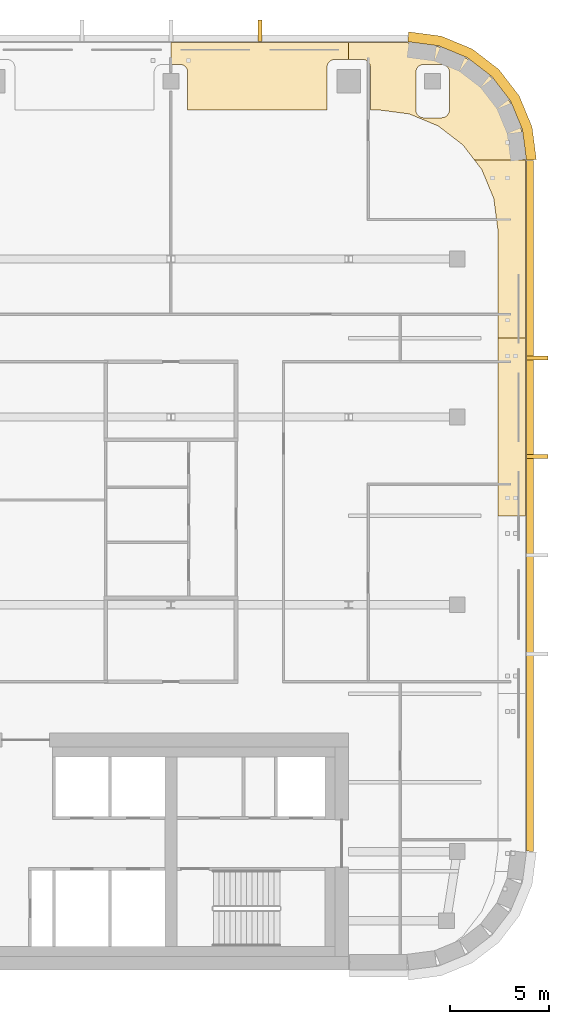
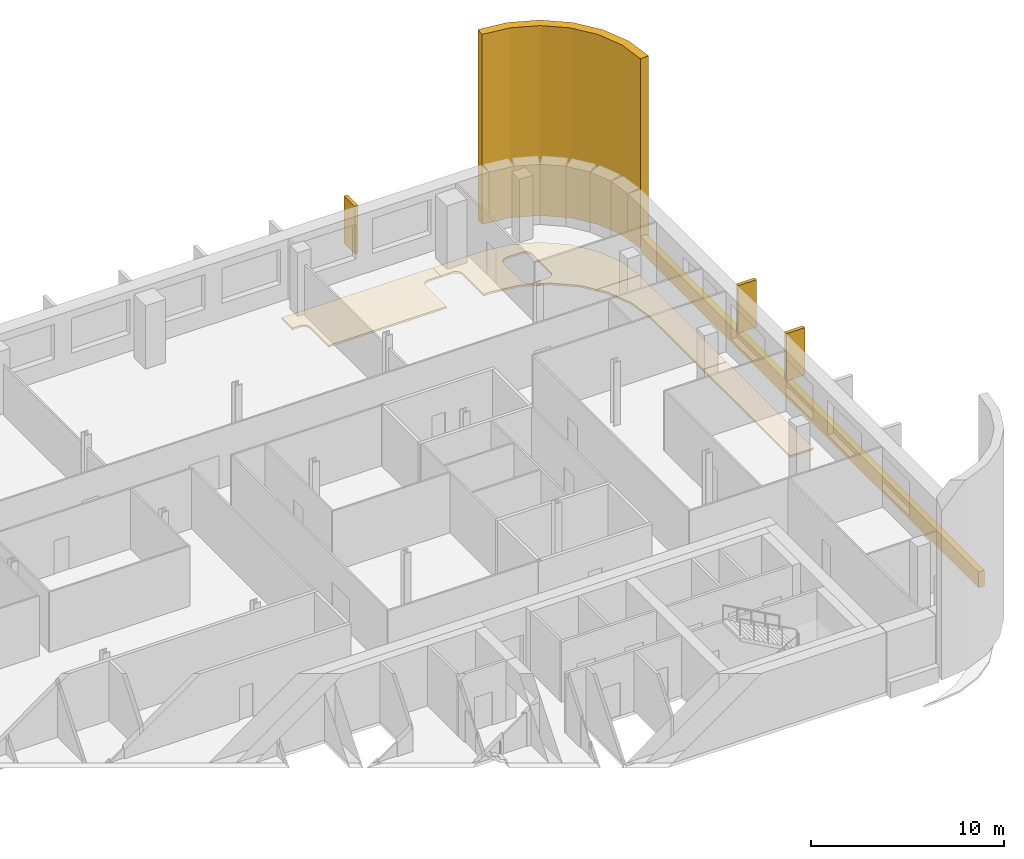
# One storey, part 19 of 19: 9 coverings.
"""IFC4 building model written with IfcOpenShell, lengths in metres."""

from ifc_helpers import new_model, si_unit, direction, frame, origin, place, context, subcontext, project, spatial, polyline, outline, extrude, material, layer, layer_set, type_object, element, save


model = new_model("IFC4")

# Units and contexts
model_context = context("Model", 3, precision=1e-05, world=origin(), true_north=direction((0.0, 1.0)))
body_context = subcontext(model_context, "Body", "Model", "MODEL_VIEW")
ifc_project = project(units=[si_unit("LENGTHUNIT", "METRE"), si_unit("AREAUNIT", "SQUARE_METRE"), si_unit("VOLUMEUNIT", "CUBIC_METRE"), si_unit("PLANEANGLEUNIT", "RADIAN"), si_unit("MASSUNIT", "GRAM", prefix="KILO")], contexts=[model_context])

# Site, building, storey
site_placement = place(None, origin())
site = spatial("IfcSite", under=ifc_project, at=site_placement, CompositionType="ELEMENT")
building_placement = place(site_placement, origin())
building = spatial("IfcBuilding", under=site, at=building_placement, Name="Zellij Exchange Tower", CompositionType="ELEMENT")
storey_placement = place(building_placement, frame((0.0, 0.0, 220.5)))
storey = spatial("IfcBuildingStorey", under=building, at=storey_placement, Name="L51", CompositionType="ELEMENT", Elevation=220.5)

# Coverings
ifc_material_1 = material(Name="Limestone cladding", Category="masonry")
ifc_layer_1 = layer(ifc_material_1, 0.35009765625)
ifc_layer_set_1 = layer_set([ifc_layer_1], Name="Limestone cladding")
covering_type_1 = type_object("IfcCoveringType", Name="ENV-CV10 Stone spandrel band 350", PredefinedType="CLADDING", material=ifc_layer_set_1)
covering_1_placement = place(storey_placement, frame((0.0, 0.0, -0.199951171875)))
element("IfcCovering", 1, at=covering_1_placement, inside=storey, type_object=covering_type_1, Name="Stone spandrel band", PredefinedType="CLADDING", context=body_context, shape_type="SweptSolid", body=[
    extrude(outline(polyline([(36.0, -7.973876953125), (36.0, 26.973876953125), (36.35009765625, 26.99658203125), (36.35009765625, -7.99658203125), (36.0, -7.973876953125)])), origin(), (0.0, 0.0, 1.0), 1.0),
])
ifc_layer_2 = layer(ifc_material_1, 0.5)
ifc_layer_set_2 = layer_set([ifc_layer_2], Name="Limestone cladding")
covering_type_2 = type_object("IfcCoveringType", Name="ENV-CV12 Stone corner pier 500", PredefinedType="CLADDING", material=ifc_layer_set_2)
covering_2_placement = place(storey_placement, origin())
element("IfcCovering", 2, at=covering_2_placement, inside=storey, type_object=covering_type_2, Name="Stone corner pier", PredefinedType="CLADDING", context=body_context, shape_type="SweptSolid", body=[
    extrude(outline(polyline([(36.0, 27.0), (35.795654296875, 28.552978515625), (35.1962890625, 30.0), (34.24267578125, 31.24267578125), (33.0, 32.1962890625), (31.552978515625, 32.795654296875), (30.0, 33.0), (30.03271484375, 33.5), (31.683349609375, 33.28271484375), (33.252197265625, 32.6328125), (34.59912109375, 31.59912109375), (35.6328125, 30.252197265625), (36.28271484375, 28.683349609375), (36.5, 27.03271484375), (36.0, 27.0)])), origin(), (0.0, 0.0, 1.0), 12.0),
])
covering_type_3 = type_object("IfcCoveringType", Name="ENV-CV6 Stone pier 200x1100", PredefinedType="CLADDING", material=ifc_material_1)
covering_3_placement = place(storey_placement, frame((0.0, 0.0, 0.800048828125)))
element("IfcCovering", 3, at=covering_3_placement, inside=storey, type_object=covering_type_3, Name="Stone pier", PredefinedType="CLADDING", context=body_context, shape_type="SweptSolid", body=[
    extrude(outline(polyline([(36.0, 11.896240234375), (36.0, 12.09619140625), (37.10009765625, 12.09619140625), (37.10009765625, 11.896240234375), (36.0, 11.896240234375)])), origin(), (0.0, 0.0, 1.0), 3.0),
])
covering_4_placement = place(storey_placement, frame((0.0, 0.0, 0.800048828125)))
element("IfcCovering", 4, at=covering_4_placement, inside=storey, type_object=covering_type_3, Name="Stone pier", PredefinedType="CLADDING", context=body_context, shape_type="SweptSolid", body=[
    extrude(outline(polyline([(36.0, 16.888916015625), (36.0, 17.0888671875), (37.10009765625, 17.0888671875), (37.10009765625, 16.888916015625), (36.0, 16.888916015625)])), origin(), (0.0, 0.0, 1.0), 3.0),
])
covering_5_placement = place(storey_placement, frame((0.0, 0.0, 0.800048828125)))
element("IfcCovering", 5, at=covering_5_placement, inside=storey, type_object=covering_type_3, Name="Stone pier", PredefinedType="CLADDING", context=body_context, shape_type="SweptSolid", body=[
    extrude(outline(polyline([(22.60009765625, 33.0), (22.39990234375, 33.0), (22.39990234375, 34.10009765625), (22.60009765625, 34.10009765625), (22.60009765625, 33.0)])), origin(), (0.0, 0.0, 1.0), 3.0),
])
ifc_material_2 = material(Name="Limestone screen", Category="masonry")
ifc_layer_3 = layer(ifc_material_2, 0.1201171875)
ifc_layer_set_3 = layer_set([ifc_layer_3], Name="Limestone screen")
covering_type_4 = type_object("IfcCoveringType", Name="ENV-SC1 Pierced stone screen 120", PredefinedType="USERDEFINED", material=ifc_layer_set_3)
covering_6_placement = place(storey_placement, frame((0.0, 0.0, -1.77001953125)))
element("IfcCovering", 6, at=covering_6_placement, inside=storey, type_object=covering_type_4, Name="Pierced stone screen", ObjectType="SCREEN", PredefinedType="USERDEFINED", context=body_context, shape_type="SweptSolid", body=[
    extrude(outline(polyline([(27.0, 32.949951171875), (27.0, 32.10009765625), (26.300048828125, 32.10009765625), (26.2607421875, 32.09814453125), (26.221923828125, 32.09228515625), (26.183837890625, 32.082763671875), (26.14697265625, 32.069580078125), (26.111328125, 32.052734375), (26.077880859375, 32.03271484375), (26.046142578125, 32.00927734375), (26.01708984375, 31.98291015625), (25.99072265625, 31.953857421875), (25.96728515625, 31.922119140625), (25.947265625, 31.888671875), (25.930419921875, 31.85302734375), (25.917236328125, 31.816162109375), (25.90771484375, 31.778076171875), (25.90185546875, 31.7392578125), (25.89990234375, 31.699951171875), (25.89990234375, 29.550048828125), (18.85009765625, 29.550048828125), (18.85009765625, 31.449951171875), (18.84814453125, 31.4892578125), (18.84228515625, 31.528076171875), (18.832763671875, 31.566162109375), (18.819580078125, 31.60302734375), (18.802734375, 31.638671875), (18.78271484375, 31.672119140625), (18.75927734375, 31.703857421875), (18.73291015625, 31.73291015625), (18.703857421875, 31.75927734375), (18.672119140625, 31.78271484375), (18.638671875, 31.802734375), (18.60302734375, 31.819580078125), (18.566162109375, 31.832763671875), (18.528076171875, 31.84228515625), (18.4892578125, 31.84814453125), (18.449951171875, 31.85009765625), (18.0, 31.85009765625), (18.0, 32.949951171875), (27.0, 32.949951171875)])), origin(), (0.0, 0.0, 1.0), 0.1201171875),
])
covering_7_placement = place(storey_placement, frame((0.0, 0.0, -1.77001953125)))
element("IfcCovering", 7, at=covering_7_placement, inside=storey, type_object=covering_type_4, Name="Pierced stone screen", ObjectType="SCREEN", PredefinedType="USERDEFINED", context=body_context, shape_type="SweptSolid", body=[
    extrude(outline(polyline([(35.949951171875, 9.0), (34.550048828125, 9.0), (34.550048828125, 18.0), (35.949951171875, 18.0), (35.949951171875, 9.0)])), origin(), (0.0, 0.0, 1.0), 0.1201171875),
])
covering_8_placement = place(storey_placement, frame((0.0, 0.0, -1.77001953125)))
element("IfcCovering", 8, at=covering_8_placement, inside=storey, type_object=covering_type_4, Name="Pierced stone screen", ObjectType="SCREEN", PredefinedType="USERDEFINED", context=body_context, shape_type="SweptSolid", body=[
    extrude(outline(polyline([(35.949951171875, 26.99658203125), (35.949951171875, 18.0), (34.550048828125, 18.0), (34.550048828125, 23.5), (34.549560546875, 23.506591796875), (34.34521484375, 25.059326171875), (34.344482421875, 25.063720703125), (34.34326171875, 25.06787109375), (34.341796875, 25.072021484375), (33.7421875, 26.51904296875), (33.740478515625, 26.523193359375), (33.73828125, 26.52685546875), (33.73583984375, 26.530517578125), (33.37548828125, 27.0), (35.94970703125, 27.0), (35.949951171875, 26.99658203125)])), origin(), (0.0, 0.0, 1.0), 0.1201171875),
])
covering_9_placement = place(storey_placement, frame((0.0, 0.0, -1.77001953125)))
element("IfcCovering", 9, at=covering_9_placement, inside=storey, type_object=covering_type_4, Name="Pierced stone screen", ObjectType="SCREEN", PredefinedType="USERDEFINED", context=body_context, shape_type="SweptSolid", body=[
    extrude(outline(polyline([(29.99658203125, 32.949951171875), (31.539794921875, 32.746826171875), (32.974853515625, 32.152587890625), (34.20703125, 31.20703125), (35.152587890625, 29.974853515625), (35.746826171875, 28.539794921875), (35.94970703125, 27.0), (33.37548828125, 27.0), (32.7822265625, 27.773193359375), (32.779541015625, 27.7763671875), (32.7763671875, 27.779541015625), (32.773193359375, 27.7822265625), (31.530517578125, 28.73583984375), (31.52685546875, 28.73828125), (31.523193359375, 28.740478515625), (31.51904296875, 28.7421875), (30.072021484375, 29.341796875), (30.06787109375, 29.34326171875), (30.063720703125, 29.344482421875), (30.059326171875, 29.34521484375), (28.506591796875, 29.549560546875), (28.5, 29.550048828125), (28.10009765625, 29.550048828125), (28.10009765625, 31.699951171875), (28.09814453125, 31.7392578125), (28.09228515625, 31.778076171875), (28.082763671875, 31.816162109375), (28.069580078125, 31.85302734375), (28.052734375, 31.888671875), (28.03271484375, 31.922119140625), (28.00927734375, 31.953857421875), (27.98291015625, 31.98291015625), (27.953857421875, 32.00927734375), (27.922119140625, 32.03271484375), (27.888671875, 32.052734375), (27.85302734375, 32.069580078125), (27.816162109375, 32.082763671875), (27.778076171875, 32.09228515625), (27.7392578125, 32.09814453125), (27.699951171875, 32.10009765625), (27.0, 32.10009765625), (27.0, 32.949951171875), (29.99658203125, 32.949951171875)]), holes=[polyline([(30.611328125, 29.197265625), (30.64697265625, 29.180419921875), (30.683837890625, 29.167236328125), (30.721923828125, 29.15771484375), (30.7607421875, 29.15185546875), (30.800048828125, 29.14990234375), (31.699951171875, 29.14990234375), (31.7392578125, 29.15185546875), (31.778076171875, 29.15771484375), (31.816162109375, 29.167236328125), (31.85302734375, 29.180419921875), (31.888671875, 29.197265625), (31.922119140625, 29.21728515625), (31.953857421875, 29.24072265625), (31.98291015625, 29.26708984375), (32.00927734375, 29.296142578125), (32.03271484375, 29.327880859375), (32.052734375, 29.361328125), (32.069580078125, 29.39697265625), (32.082763671875, 29.433837890625), (32.09228515625, 29.471923828125), (32.09814453125, 29.5107421875), (32.10009765625, 29.550048828125), (32.10009765625, 31.449951171875), (32.09814453125, 31.4892578125), (32.09228515625, 31.528076171875), (32.082763671875, 31.566162109375), (32.069580078125, 31.60302734375), (32.052734375, 31.638671875), (32.03271484375, 31.672119140625), (32.00927734375, 31.703857421875), (31.98291015625, 31.73291015625), (31.953857421875, 31.75927734375), (31.922119140625, 31.78271484375), (31.888671875, 31.802734375), (31.85302734375, 31.819580078125), (31.816162109375, 31.832763671875), (31.778076171875, 31.84228515625), (31.7392578125, 31.84814453125), (31.699951171875, 31.85009765625), (30.800048828125, 31.85009765625), (30.7607421875, 31.84814453125), (30.721923828125, 31.84228515625), (30.683837890625, 31.832763671875), (30.64697265625, 31.819580078125), (30.611328125, 31.802734375), (30.577880859375, 31.78271484375), (30.546142578125, 31.75927734375), (30.51708984375, 31.73291015625), (30.49072265625, 31.703857421875), (30.46728515625, 31.672119140625), (30.447265625, 31.638671875), (30.430419921875, 31.60302734375), (30.417236328125, 31.566162109375), (30.40771484375, 31.528076171875), (30.40185546875, 31.4892578125), (30.39990234375, 31.449951171875), (30.39990234375, 29.550048828125), (30.40185546875, 29.5107421875), (30.40771484375, 29.471923828125), (30.417236328125, 29.433837890625), (30.430419921875, 29.39697265625), (30.447265625, 29.361328125), (30.46728515625, 29.327880859375), (30.49072265625, 29.296142578125), (30.51708984375, 29.26708984375), (30.546142578125, 29.24072265625), (30.577880859375, 29.21728515625), (30.611328125, 29.197265625)])]), origin(), (0.0, 0.0, 1.0), 0.1201171875),
])

save(model, "model.ifc")
